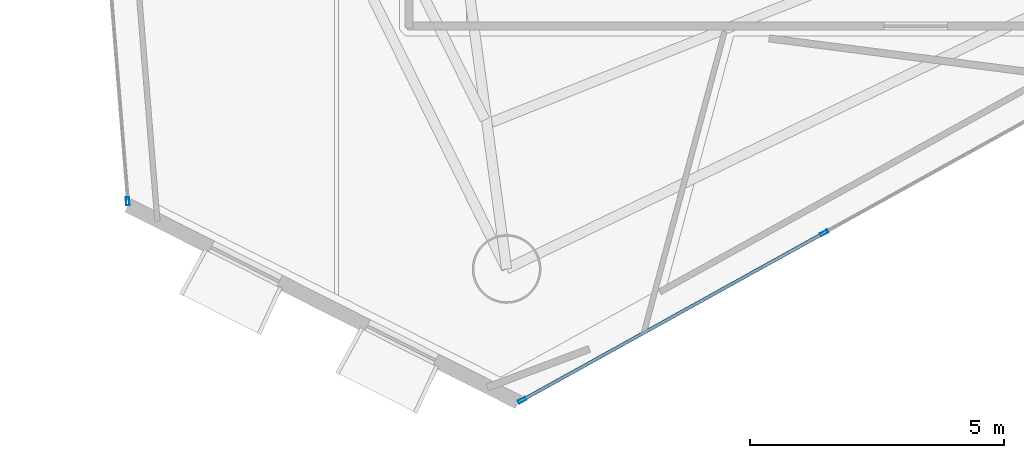
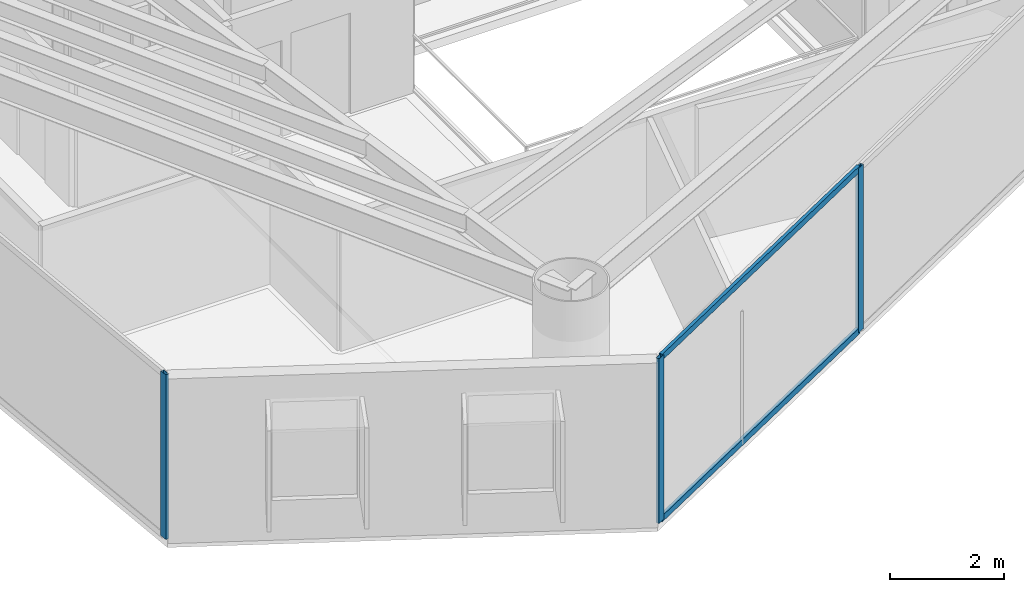
# One storey, part 2 of 21: 5 members, 2 elements without a shape of their own.
"""IFC4 building model written with IfcOpenShell, lengths in metres."""

from ifc_helpers import new_model, si_unit, direction, frame, origin, origin_2d, place, context, subcontext, project, spatial, hollow_rectangle, extrude, material, layer, layer_set, material_profile, profile_set, type_object, element, aggregate, save


model = new_model("IFC4")

# Units and contexts
model_context = context("Model", 3, precision=1e-05, world=origin(), true_north=direction((0.0, 1.0)))
body_context = subcontext(model_context, "Body", "Model", "MODEL_VIEW")
ifc_project = project(units=[si_unit("LENGTHUNIT", "METRE"), si_unit("AREAUNIT", "SQUARE_METRE"), si_unit("VOLUMEUNIT", "CUBIC_METRE"), si_unit("PLANEANGLEUNIT", "RADIAN"), si_unit("MASSUNIT", "GRAM", prefix="KILO")], contexts=[model_context])

# Site, building, storey
site_placement = place(None, origin())
site = spatial("IfcSite", under=ifc_project, at=site_placement, CompositionType="ELEMENT")
building_placement = place(site_placement, origin())
building = spatial("IfcBuilding", under=site, at=building_placement, Name="Qianvela Tower", CompositionType="ELEMENT")
storey_placement = place(building_placement, frame((0.0, 0.0, 166.10009765625)))
storey = spatial("IfcBuildingStorey", under=building, at=storey_placement, Name="L42", CompositionType="ELEMENT", Elevation=166.10009765625)

# Curtain wall, member
ifc_material_1 = material(Name="Anodised Architectural Aluminium and Low-E Glass", Category="aluminium")
ifc_layer = layer(ifc_material_1, 0.169921875)
ifc_layer_set = layer_set([ifc_layer], Name="Anodised Architectural Aluminium and Low-E Glass")
curtain_wall_type = type_object("IfcCurtainWallType", Name="CW-COLIV-Z34", PredefinedType="USERDEFINED", material=ifc_layer_set)
curtain_wall_1_placement = place(storey_placement, origin())
curtain_wall_1 = element("IfcCurtainWall", 1, at=curtain_wall_1_placement, inside=storey, type_object=curtain_wall_type, Name="L42 CW-COLIV-Z34 Curtain Wall 04C", ObjectType="CURTAIN_WALL_SYSTEM", PredefinedType="USERDEFINED")
ifc_material_2 = material(Name="Anodised Architectural Aluminium 6063-T6", Category="aluminium")
ifc_material_profile_1 = material_profile(ifc_material_2, hollow_rectangle(XDim=0.06494140625, YDim=0.159912109375, WallThickness=0.0048828125, at=origin_2d()), Name="ALU-MULL-65x160")
ifc_profile_set_1 = profile_set([ifc_material_profile_1], Name="Anodised Architectural Aluminium 6063-T6")
member_type_1 = type_object("IfcMemberType", Name="CW-COLIV-Z34-MULL", PredefinedType="MULLION", material=ifc_profile_set_1)
member_1_placement = place(storey_placement, frame((22.898193359375, 12.2392578125, 0.0), z_axis=(0.0, 0.0, 1.0), x_axis=(0.996722295553, 0.080899107215, 0.0)))
member_1 = element("IfcMember", 2, at=member_1_placement, type_object=member_type_1, Name="CW-4 mullion 2", PredefinedType="MULLION", context=body_context, shape_type="SweptSolid", body=[
    extrude(hollow_rectangle(XDim=0.06494140625, YDim=0.159912109375, WallThickness=0.0048828125, at=origin_2d()), origin(), (0.0, 0.0, 1.0), 3.52001953125),
])
aggregate(curtain_wall_1, [member_1])

# Curtain wall, members
curtain_wall_2_placement = place(storey_placement, origin())
curtain_wall_2 = element("IfcCurtainWall", 3, at=curtain_wall_2_placement, inside=storey, type_object=curtain_wall_type, Name="L42 CW-COLIV-Z34 Curtain Wall 06A", ObjectType="CURTAIN_WALL_SYSTEM", PredefinedType="USERDEFINED")
member_2_placement = place(storey_placement, frame((30.65283203125, 8.328857421875, 0.0), z_axis=(0.0, 0.0, 1.0), x_axis=(-0.484703341859, 0.874678609771, 0.0)))
member_2 = element("IfcMember", 4, at=member_2_placement, type_object=member_type_1, Name="CW-4 mullion 1", PredefinedType="MULLION", context=body_context, shape_type="SweptSolid", body=[
    extrude(hollow_rectangle(XDim=0.06494140625, YDim=0.159912109375, WallThickness=0.0048828125, at=origin_2d()), origin(), (0.0, 0.0, 1.0), 3.52001953125),
])
member_3_placement = place(storey_placement, frame((36.589599609375, 11.61865234375, 0.0), z_axis=(0.0, 0.0, 1.0), x_axis=(-0.484703341859, 0.874678609771, 0.0)))
member_3 = element("IfcMember", 5, at=member_3_placement, type_object=member_type_1, Name="CW-4 mullion 2", PredefinedType="MULLION", context=body_context, shape_type="SweptSolid", body=[
    extrude(hollow_rectangle(XDim=0.06494140625, YDim=0.159912109375, WallThickness=0.0048828125, at=origin_2d()), origin(), (0.0, 0.0, 1.0), 3.52001953125),
])
ifc_material_3 = material(Name="Anodised Architectural Aluminium 6063-T6", Category="aluminium")
ifc_material_profile_2 = material_profile(ifc_material_3, hollow_rectangle(XDim=0.06494140625, YDim=0.1298828125, WallThickness=0.00439453125, at=origin_2d()), Name="ALU-TRAN-65x130")
ifc_profile_set_2 = profile_set([ifc_material_profile_2], Name="Anodised Architectural Aluminium 6063-T6")
member_type_2 = type_object("IfcMemberType", Name="CW-COLIV-Z34-TRAN", PredefinedType="USERDEFINED", material=ifc_profile_set_2)
member_4_placement = place(storey_placement, frame((30.68115234375, 8.344482421875, 0.032470703125), z_axis=(0.874674113761, 0.484711455112, 0.0), x_axis=(-0.484711455112, 0.874674113761, 0.0)))
member_4 = element("IfcMember", 6, at=member_4_placement, type_object=member_type_2, Name="CW-4 transom 1.1", ObjectType="TRANSOM", PredefinedType="USERDEFINED", context=body_context, shape_type="SweptSolid", body=[
    extrude(hollow_rectangle(XDim=0.06494140625, YDim=0.1298828125, WallThickness=0.00439453125, at=origin_2d()), origin(), (0.0, 0.0, 1.0), 6.72265625),
])
member_5_placement = place(storey_placement, frame((30.68115234375, 8.344482421875, 3.4873046875), z_axis=(0.874674113761, 0.484711455112, 0.0), x_axis=(-0.484711455112, 0.874674113761, 0.0)))
member_5 = element("IfcMember", 7, at=member_5_placement, type_object=member_type_2, Name="CW-4 transom 1.2", ObjectType="TRANSOM", PredefinedType="USERDEFINED", context=body_context, shape_type="SweptSolid", body=[
    extrude(hollow_rectangle(XDim=0.06494140625, YDim=0.1298828125, WallThickness=0.00439453125, at=origin_2d()), origin(), (0.0, 0.0, 1.0), 6.72265625),
])
aggregate(curtain_wall_2, [member_2, member_3, member_4, member_5])

save(model, "model.ifc")
